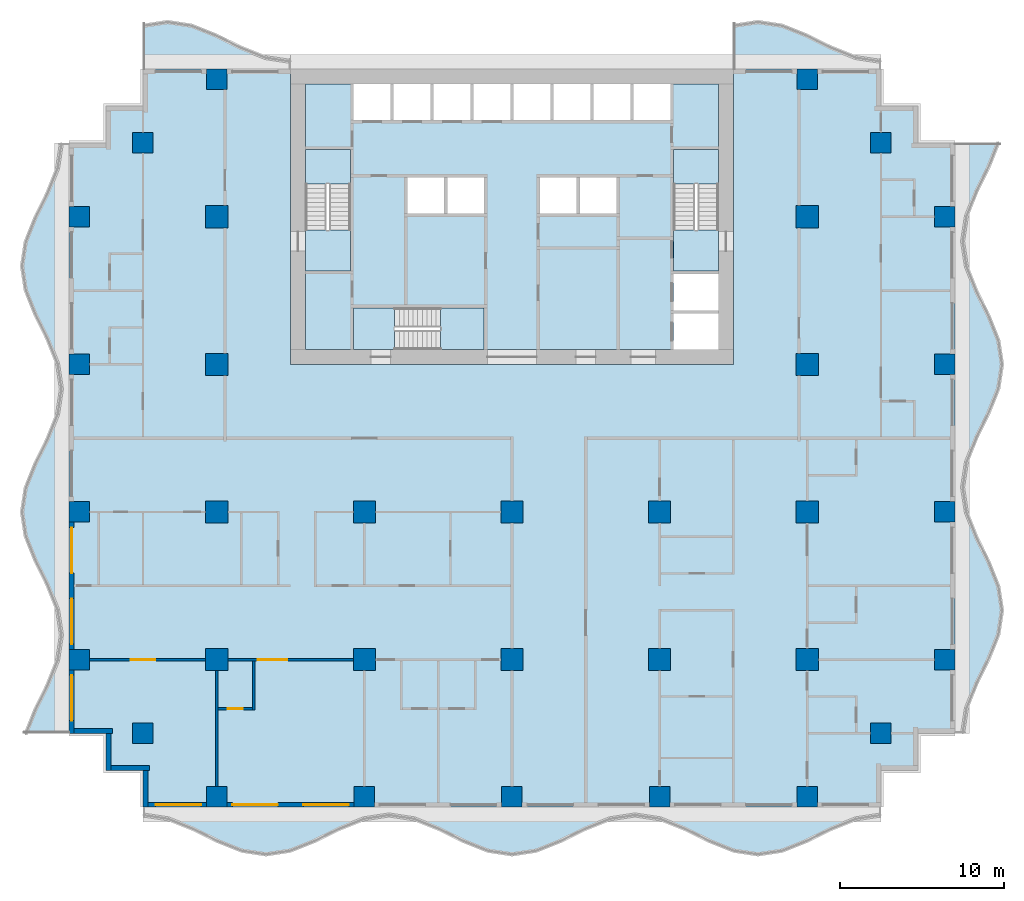
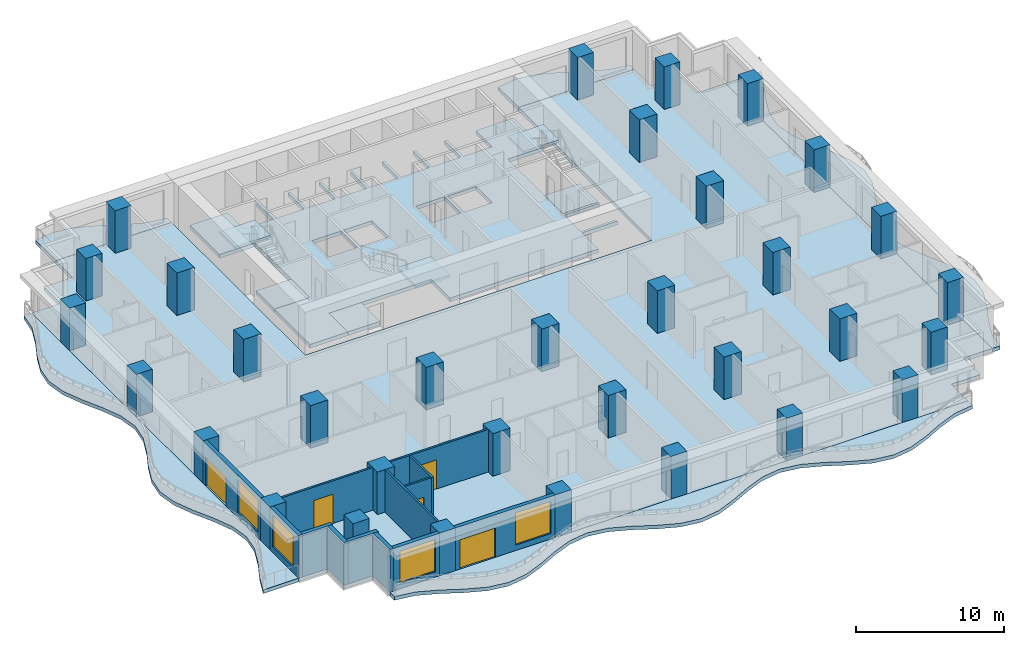
# One storey, part 1 of 13: 33 columns, 13 slabs, 13 walls, 5 doors, 4 windows, 9 openings, 3 elements without a shape of their own.
"""IFC4 building model written with IfcOpenShell, lengths in metres."""

from ifc_helpers import new_model, si_unit, direction, frame, frame_2d, origin, origin_2d, place, context, subcontext, project, spatial, polyline, rectangle, outline, extrude, material, layer, layer_set, material_profile, profile_set, type_object, element, fill, aggregate, save


model = new_model("IFC4")

# Units and contexts
model_context = context("Model", 3, precision=1e-05, world=origin(), true_north=direction((0.0, 1.0)))
body_context = subcontext(model_context, "Body", "Model", "MODEL_VIEW")
ifc_project = project(units=[si_unit("LENGTHUNIT", "METRE"), si_unit("AREAUNIT", "SQUARE_METRE"), si_unit("VOLUMEUNIT", "CUBIC_METRE"), si_unit("PLANEANGLEUNIT", "RADIAN"), si_unit("MASSUNIT", "GRAM", prefix="KILO")], contexts=[model_context])

# Site, building, storey
site_placement = place(None, origin())
site = spatial("IfcSite", under=ifc_project, at=site_placement, CompositionType="ELEMENT")
building_placement = place(site_placement, origin())
building = spatial("IfcBuilding", under=site, at=building_placement, Name="Orbiselva Terraces", CompositionType="ELEMENT")
storey_placement = place(building_placement, frame((0.0, 0.0, 99.8)))
storey = spatial("IfcBuildingStorey", under=building, at=storey_placement, Name="L25", CompositionType="ELEMENT", Elevation=99.8)

# Columns
ifc_material_1 = material(Name="Concrete C70/85", Category="concrete")
ifc_material_profile_1 = material_profile(ifc_material_1, rectangle(XDim=1.35, YDim=1.35, at=origin_2d()), Name="RC 1350x1350")
ifc_profile_set_1 = profile_set([ifc_material_profile_1], Name="Concrete C70/85")
column_type_1 = type_object("IfcColumnType", Name="COLUMN RC 1350x1350", PredefinedType="COLUMN", material=ifc_profile_set_1)
for number, where, z_axis, x_axis, name in (
    (1, (-18.0, -13.5, 0.0), (0.0, 0.0, 1.0), (1.0, 0.0, 0.0), "Column L25-01"),
    (2, (-18.0, -4.5, 0.0), (0.0, 0.0, 1.0), (1.0, 0.0, 0.0), "Column L25-03"),
    (3, (-18.0, 13.5, 0.0), (0.0, 0.0, 1.0), (1.0, 0.0, 0.0), "Column L25-04"),
    (4, (-18.0, 4.5, 0.0), (0.0, 0.0, 1.0), (1.0, 0.0, 0.0), "Column L25-06"),
    (5, (-9.0, -13.5, 0.0), (0.0, 0.0, 1.0), (1.0, 0.0, 0.0), "Column L25-13"),
    (6, (-9.0, -4.5, 0.0), (0.0, 0.0, 1.0), (1.0, 0.0, 0.0), "Column L25-15"),
    (7, (0.0, -13.5, 0.0), (0.0, 0.0, 1.0), (1.0, 0.0, 0.0), "Column L25-16"),
    (8, (0.0, -4.5, 0.0), (0.0, 0.0, 1.0), (1.0, 0.0, 0.0), "Column L25-18"),
    (9, (18.0, -13.5, 0.0), (0.0, 0.0, 1.0), (1.0, 0.0, 0.0), "Column L25-19"),
    (10, (18.0, -4.5, 0.0), (0.0, 0.0, 1.0), (1.0, 0.0, 0.0), "Column L25-21"),
    (11, (18.0, 13.5, 0.0), (0.0, 0.0, 1.0), (1.0, 0.0, 0.0), "Column L25-22"),
    (12, (18.0, 4.5, 0.0), (0.0, 0.0, 1.0), (1.0, 0.0, 0.0), "Column L25-24"),
    (13, (9.0, -13.5, 0.0), (0.0, 0.0, 1.0), (1.0, 0.0, 0.0), "Column L25-31"),
    (14, (9.0, -4.5, 0.0), (0.0, 0.0, 1.0), (1.0, 0.0, 0.0), "Column L25-33"),
):
    element("IfcColumn", number, at=place(storey_placement, frame(where, z_axis=z_axis, x_axis=x_axis)), inside=storey, type_object=column_type_1, Name=name, PredefinedType="COLUMN", context=body_context, shape_type="SweptSolid", body=[
        extrude(rectangle(XDim=1.35, YDim=1.35, at=origin_2d()), origin(), (0.0, 0.0, 1.0), 3.5),
    ])
ifc_material_2 = material(Name="Concrete C60/75", Category="concrete")
ifc_material_profile_2 = material_profile(ifc_material_2, rectangle(XDim=1.25, YDim=1.25, at=origin_2d()), Name="RC 1250x1250")
ifc_profile_set_2 = profile_set([ifc_material_profile_2], Name="Concrete C60/75")
column_type_2 = type_object("IfcColumnType", Name="PERIMETER COLUMN RC 1250x1250", PredefinedType="COLUMN", material=ifc_profile_set_2)
for number, where, z_axis, x_axis, name in (
    (15, (-18.0, -21.875, 0.0), (0.0, 0.0, 1.0), (1.0, 0.0, 0.0), "Column L25-02"),
    (16, (-18.0, 21.875, 0.0), (0.0, 0.0, 1.0), (1.0, 0.0, 0.0), "Column L25-05"),
    (17, (-26.375, -13.5, 0.0), (0.0, 0.0, 1.0), (1.0, 0.0, 0.0), "Column L25-07"),
    (18, (-22.5, -18.0, 0.0), (0.0, 0.0, 1.0), (1.0, 0.0, 0.0), "Column L25-08"),
    (19, (-26.375, -4.5, 0.0), (0.0, 0.0, 1.0), (1.0, 0.0, 0.0), "Column L25-09"),
    (20, (-26.375, 13.5, 0.0), (0.0, 0.0, 1.0), (1.0, 0.0, 0.0), "Column L25-10"),
    (21, (-22.5, 18.0, 0.0), (0.0, 0.0, 1.0), (1.0, 0.0, 0.0), "Column L25-11"),
    (22, (-26.375, 4.5, 0.0), (0.0, 0.0, 1.0), (1.0, 0.0, 0.0), "Column L25-12"),
    (23, (-9.0, -21.875, 0.0), (0.0, 0.0, 1.0), (1.0, 0.0, 0.0), "Column L25-14"),
    (24, (0.0, -21.875, 0.0), (0.0, 0.0, 1.0), (1.0, 0.0, 0.0), "Column L25-17"),
    (25, (18.0, -21.875, 0.0), (0.0, 0.0, 1.0), (1.0, 0.0, 0.0), "Column L25-20"),
    (26, (18.0, 21.875, 0.0), (0.0, 0.0, 1.0), (1.0, 0.0, 0.0), "Column L25-23"),
    (27, (26.375, -13.5, 0.0), (0.0, 0.0, 1.0), (1.0, 0.0, 0.0), "Column L25-25"),
    (28, (22.5, -18.0, 0.0), (0.0, 0.0, 1.0), (1.0, 0.0, 0.0), "Column L25-26"),
    (29, (26.375, -4.5, 0.0), (0.0, 0.0, 1.0), (1.0, 0.0, 0.0), "Column L25-27"),
    (30, (26.375, 13.5, 0.0), (0.0, 0.0, 1.0), (1.0, 0.0, 0.0), "Column L25-28"),
    (31, (22.5, 18.0, 0.0), (0.0, 0.0, 1.0), (1.0, 0.0, 0.0), "Column L25-29"),
    (32, (26.375, 4.5, 0.0), (0.0, 0.0, 1.0), (1.0, 0.0, 0.0), "Column L25-30"),
    (33, (9.0, -21.875, 0.0), (0.0, 0.0, 1.0), (1.0, 0.0, 0.0), "Column L25-32"),
):
    element("IfcColumn", number, at=place(storey_placement, frame(where, z_axis=z_axis, x_axis=x_axis)), inside=storey, type_object=column_type_2, Name=name, PredefinedType="COLUMN", context=body_context, shape_type="SweptSolid", body=[
        extrude(rectangle(XDim=1.25, YDim=1.25, at=origin_2d()), origin(), (0.0, 0.0, 1.0), 3.5),
    ])

# Slabs
ifc_material_3 = material(Name="Concrete C40/50", Category="concrete")
ifc_layer_1 = layer(ifc_material_3, 0.3)
ifc_layer_set_1 = layer_set([ifc_layer_1], Name="Concrete C40/50")
slab_type_1 = type_object("IfcSlabType", Name="CORE-SLAB-FLOOR-300", PredefinedType="FLOOR", material=ifc_layer_set_1)
slab_1_placement = place(storey_placement, frame((0.0, 0.0, -0.3)))
element("IfcSlab", 34, at=slab_1_placement, inside=storey, type_object=slab_type_1, Name="L25 S1 floor landing", PredefinedType="FLOOR", context=body_context, shape_type="SweptSolid", body=[
    extrude(outline(polyline([(-12.6, 12.7), (-9.85, 12.7), (-9.85, 10.2), (-12.6, 10.2), (-12.6, 12.7)])), origin(), (0.0, 0.0, 1.0), 0.3),
])
slab_2_placement = place(storey_placement, frame((0.0, 0.0, -0.3)))
element("IfcSlab", 35, at=slab_2_placement, inside=storey, type_object=slab_type_1, Name="L25 S2 floor landing", PredefinedType="FLOOR", context=body_context, shape_type="SweptSolid", body=[
    extrude(outline(polyline([(12.6, 12.7), (12.6, 10.2), (9.85, 10.2), (9.85, 12.7), (12.6, 12.7)])), origin(), (0.0, 0.0, 1.0), 0.3),
])
slab_3_placement = place(storey_placement, frame((0.0, 0.0, -0.3)))
element("IfcSlab", 36, at=slab_3_placement, inside=storey, type_object=slab_type_1, Name="L25 S3 floor landing", PredefinedType="FLOOR", context=body_context, shape_type="SweptSolid", body=[
    extrude(outline(polyline([(-7.15, 5.4), (-9.65, 5.4), (-9.65, 7.95), (-7.15, 7.95), (-7.15, 5.4)])), origin(), (0.0, 0.0, 1.0), 0.3),
])
slab_4_placement = place(storey_placement, frame((0.0, 0.0, -0.3)))
element("IfcSlab", 37, at=slab_4_placement, inside=storey, type_object=slab_type_1, Name="L25 core floor slab 1", PredefinedType="FLOOR", context=body_context, shape_type="SweptSolid", body=[
    extrude(outline(polyline([(-1.7, 5.4), (-1.7, 7.95), (-9.65, 7.95), (-9.65, 5.4), (-12.6, 5.4), (-12.6, 10.2), (-9.85, 10.2), (-9.85, 17.6), (-12.6, 17.6), (-12.6, 21.6), (-9.65, 21.6), (-9.65, 19.4), (-7.4125, 19.4), (-7.4125, 21.6), (-7.2125, 21.6), (-7.2125, 19.4), (-4.975, 19.4), (-4.975, 21.6), (-4.775, 21.6), (-4.775, 19.4), (-2.5375, 19.4), (-2.5375, 21.6), (-2.3375, 21.6), (-2.3375, 19.4), (-0.1, 19.4), (-0.1, 21.6), (0.1, 21.6), (0.1, 19.4), (2.3375, 19.4), (2.3375, 21.6), (2.5375, 21.6), (2.5375, 19.4), (4.775, 19.4), (4.775, 21.6), (4.975, 21.6), (4.975, 19.4), (7.2125, 19.4), (7.2125, 21.6), (7.4125, 21.6), (7.4125, 19.4), (9.65, 19.4), (9.65, 21.6), (12.6, 21.6), (12.6, 17.6), (9.85, 17.6), (9.85, 10.2), (12.6, 10.2), (12.6, 10.0), (9.85, 10.0), (9.85, 7.8), (12.6, 7.8), (12.6, 7.6), (9.85, 7.6), (9.85, 5.4), (-1.7, 5.4)]), holes=[polyline([(-4.1375, 13.7), (-4.1375, 15.9), (-6.375, 15.9), (-6.375, 13.7), (-4.1375, 13.7)]), polyline([(-1.7, 13.7), (-1.7, 15.9), (-3.9375, 15.9), (-3.9375, 13.7), (-1.7, 13.7)]), polyline([(3.9375, 13.7), (3.9375, 15.9), (1.7, 15.9), (1.7, 13.7), (3.9375, 13.7)]), polyline([(6.375, 13.7), (6.375, 15.9), (4.1375, 15.9), (4.1375, 13.7), (6.375, 13.7)])]), origin(), (0.0, 0.0, 1.0), 0.3),
])

# Stair, slab
stair_type_1 = type_object("IfcStairType", Name="CORE-STAIR-1300", PredefinedType="HALF_TURN_STAIR", material=ifc_material_3)
stair_1_placement = place(storey_placement, origin())
stair_1 = element("IfcStair", 38, at=stair_1_placement, inside=storey, type_object=stair_type_1, Name="L25 Exit Stair S1", PredefinedType="HALF_TURN_STAIR")
ifc_layer_2 = layer(ifc_material_3, 0.2)
ifc_layer_set_2 = layer_set([ifc_layer_2], Name="Concrete C40/50")
slab_type_2 = type_object("IfcSlabType", Name="CORE-STAIR-LANDING-200", PredefinedType="LANDING", material=ifc_layer_set_2)
slab_5_placement = place(storey_placement, frame((0.0, 0.0, 1.7)))
slab_5 = element("IfcSlab", 39, at=slab_5_placement, type_object=slab_type_2, Name="S1 landing 1", PredefinedType="LANDING", context=body_context, shape_type="SweptSolid", body=[
    extrude(outline(polyline([(-9.85, 15.5), (-9.85, 17.6), (-12.6, 17.6), (-12.6, 15.5), (-9.85, 15.5)])), origin(), (0.0, 0.0, 1.0), 0.2),
])
aggregate(stair_1, [slab_5])

stair_2_placement = place(storey_placement, origin())
stair_2 = element("IfcStair", 40, at=stair_2_placement, inside=storey, type_object=stair_type_1, Name="L25 Exit Stair S2", PredefinedType="HALF_TURN_STAIR")
slab_6_placement = place(storey_placement, frame((0.0, 0.0, 1.7)))
slab_6 = element("IfcSlab", 41, at=slab_6_placement, type_object=slab_type_2, Name="S2 landing 1", PredefinedType="LANDING", context=body_context, shape_type="SweptSolid", body=[
    extrude(outline(polyline([(12.6, 15.5), (12.6, 17.6), (9.85, 17.6), (9.85, 15.5), (12.6, 15.5)])), origin(), (0.0, 0.0, 1.0), 0.2),
])
aggregate(stair_2, [slab_6])

stair_type_2 = type_object("IfcStairType", Name="CORE-STAIR-1200", PredefinedType="HALF_TURN_STAIR", material=ifc_material_3)
stair_3_placement = place(storey_placement, origin())
stair_3 = element("IfcStair", 42, at=stair_3_placement, inside=storey, type_object=stair_type_2, Name="L25 Exit Stair S3", PredefinedType="HALF_TURN_STAIR")
slab_7_placement = place(storey_placement, frame((0.0, 0.0, 1.7)))
slab_7 = element("IfcSlab", 43, at=slab_7_placement, type_object=slab_type_2, Name="S3 landing 1", PredefinedType="LANDING", context=body_context, shape_type="SweptSolid", body=[
    extrude(outline(polyline([(-4.35, 5.4), (-1.7, 5.4), (-1.7, 7.95), (-4.35, 7.95), (-4.35, 5.4)])), origin(), (0.0, 0.0, 1.0), 0.2),
])
aggregate(stair_3, [slab_7])

# Slabs
ifc_material_4 = material(Name="Concrete C50/60", Category="concrete")
ifc_layer_3 = layer(ifc_material_4, 0.3)
ifc_layer_set_3 = layer_set([ifc_layer_3], Name="Concrete C50/60")
slab_type_3 = type_object("IfcSlabType", Name="ENV-BALCONY-SLAB-300", PredefinedType="FLOOR", material=ifc_layer_set_3)
slab_8_placement = place(storey_placement, frame((0.0, 0.0, -0.3)))
element("IfcSlab", 44, at=slab_8_placement, inside=storey, type_object=slab_type_3, Name="Balcony slab L25 S", PredefinedType="FLOOR", context=body_context, shape_type="SweptSolid", body=[
    extrude(outline(polyline([(-22.5, -23.1), (-21.0, -23.32918), (-19.5, -23.92918), (-18.0, -24.67082), (-16.5, -25.27082), (-15.0, -25.5), (-13.5, -25.27082), (-12.0, -24.67082), (-10.5, -23.92918), (-9.0, -23.32918), (-7.5, -23.1), (-6.0, -23.32918), (-4.5, -23.92918), (-3.0, -24.67082), (-1.5, -25.27082), (0.0, -25.5), (1.5, -25.27082), (3.0, -24.67082), (4.5, -23.92918), (6.0, -23.32918), (7.5, -23.1), (9.0, -23.32918), (10.5, -23.92918), (12.0, -24.67082), (13.5, -25.27082), (15.0, -25.5), (16.5, -25.27082), (18.0, -24.67082), (19.5, -23.92918), (21.0, -23.32918), (22.5, -23.1), (22.5, -22.5), (-22.5, -22.5), (-22.5, -23.1)])), origin(), (0.0, 0.0, 1.0), 0.3),
])
slab_9_placement = place(storey_placement, frame((0.0, 0.0, -0.3)))
element("IfcSlab", 45, at=slab_9_placement, inside=storey, type_object=slab_type_3, Name="Balcony slab L25 E", PredefinedType="FLOOR", context=body_context, shape_type="SweptSolid", body=[
    extrude(outline(polyline([(27.6, -18.0), (27.82918, -16.5), (28.42918, -15.0), (29.17082, -13.5), (29.77082, -12.0), (30.0, -10.5), (29.77082, -9.0), (29.17082, -7.5), (28.42918, -6.0), (27.82918, -4.5), (27.6, -3.0), (27.82918, -1.5), (28.42918, 0.0), (29.17082, 1.5), (29.77082, 3.0), (30.0, 4.5), (29.77082, 6.0), (29.17082, 7.5), (28.42918, 9.0), (27.82918, 10.5), (27.6, 12.0), (27.82918, 13.5), (28.42918, 15.0), (29.17082, 16.5), (29.77082, 18.0), (27.0, 18.0), (27.0, -18.0), (27.6, -18.0)])), origin(), (0.0, 0.0, 1.0), 0.3),
])
slab_10_placement = place(storey_placement, frame((0.0, 0.0, -0.3)))
element("IfcSlab", 46, at=slab_10_placement, inside=storey, type_object=slab_type_3, Name="Balcony slab L25 NE", PredefinedType="FLOOR", context=body_context, shape_type="SweptSolid", body=[
    extrude(outline(polyline([(22.5, 23.1), (21.0, 23.32918), (19.5, 23.92918), (18.0, 24.67082), (16.5, 25.27082), (15.0, 25.5), (13.5, 25.27082), (13.5, 22.5), (22.5, 22.5), (22.5, 23.1)])), origin(), (0.0, 0.0, 1.0), 0.3),
])
slab_11_placement = place(storey_placement, frame((0.0, 0.0, -0.3)))
element("IfcSlab", 47, at=slab_11_placement, inside=storey, type_object=slab_type_3, Name="Balcony slab L25 NW", PredefinedType="FLOOR", context=body_context, shape_type="SweptSolid", body=[
    extrude(outline(polyline([(-13.5, 23.1), (-15.0, 23.32918), (-16.5, 23.92918), (-18.0, 24.67082), (-19.5, 25.27082), (-21.0, 25.5), (-22.5, 25.27082), (-22.5, 22.5), (-13.5, 22.5), (-13.5, 23.1)])), origin(), (0.0, 0.0, 1.0), 0.3),
])
slab_12_placement = place(storey_placement, frame((0.0, 0.0, -0.3)))
element("IfcSlab", 48, at=slab_12_placement, inside=storey, type_object=slab_type_3, Name="Balcony slab L25 W", PredefinedType="FLOOR", context=body_context, shape_type="SweptSolid", body=[
    extrude(outline(polyline([(-27.6, 18.0), (-27.82918, 16.5), (-28.42918, 15.0), (-29.17082, 13.5), (-29.77082, 12.0), (-30.0, 10.5), (-29.77082, 9.0), (-29.17082, 7.5), (-28.42918, 6.0), (-27.82918, 4.5), (-27.6, 3.0), (-27.82918, 1.5), (-28.42918, 0.0), (-29.17082, -1.5), (-29.77082, -3.0), (-30.0, -4.5), (-29.77082, -6.0), (-29.17082, -7.5), (-28.42918, -9.0), (-27.82918, -10.5), (-27.6, -12.0), (-27.82918, -13.5), (-28.42918, -15.0), (-29.17082, -16.5), (-29.77082, -18.0), (-27.0, -18.0), (-27.0, 18.0), (-27.6, 18.0)])), origin(), (0.0, 0.0, 1.0), 0.3),
])
ifc_layer_4 = layer(ifc_material_4, 0.3)
ifc_layer_set_4 = layer_set([ifc_layer_4], Name="Concrete C50/60")
slab_type_4 = type_object("IfcSlabType", Name="FLOOR SLAB 300", PredefinedType="FLOOR", material=ifc_layer_set_4)
slab_13_placement = place(storey_placement, frame((0.0, 0.0, -0.3)))
element("IfcSlab", 49, at=slab_13_placement, inside=storey, type_object=slab_type_4, Name="Floor slab L25", PredefinedType="FLOOR", context=body_context, shape_type="SweptSolid", body=[
    extrude(outline(polyline([(22.5, 22.5), (22.5, 20.25), (24.75, 20.25), (24.75, 18.0), (27.0, 18.0), (27.0, -18.0), (24.75, -18.0), (24.75, -20.25), (22.5, -20.25), (22.5, -22.5), (-22.5, -22.5), (-22.5, -20.25), (-24.75, -20.25), (-24.75, -18.0), (-27.0, -18.0), (-27.0, 18.0), (-24.75, 18.0), (-24.75, 20.25), (-22.5, 20.25), (-22.5, 22.5), (-13.5, 22.5), (-13.5, 4.5), (13.5, 4.5), (13.5, 22.5), (22.5, 22.5)])), origin(), (0.0, 0.0, 1.0), 0.3),
])

# Wall, opening, window
ifc_material_5 = material(Name="Terracotta cladding on masonry backing", Category="masonry")
ifc_layer_5 = layer(ifc_material_5, 0.3)
ifc_layer_set_5 = layer_set([ifc_layer_5], Name="Terracotta cladding on masonry backing")
wall_type_1 = type_object("IfcWallType", Name="ENV-WALL-TERRACOTTA-300", PredefinedType="SOLIDWALL", material=ifc_layer_set_5)
wall_1_placement = place(storey_placement, frame((-18.625, -22.35, 0.0), z_axis=(0.0, 0.0, 1.0), x_axis=(-1.0, 0.0, 0.0)))
wall_1 = element("IfcWall", 50, at=wall_1_placement, inside=storey, type_object=wall_type_1, Name="Facade wall L25 S", PredefinedType="SOLIDWALL", context=body_context, shape_type="SweptSolid", body=[
    extrude(rectangle(XDim=3.575, YDim=0.3, at=frame_2d((1.7875, 0.0))), origin(), (0.0, 0.0, 1.0), 3.5),
])
opening_1_placement = place(wall_1_placement, frame((0.325, 0.0, 0.45)))
opening_1 = element("IfcOpeningElement", 51, at=opening_1_placement, cuts=wall_1, Name="Opening WN6", PredefinedType="OPENING", context=body_context, shape_type="SweptSolid", body=[
    extrude(rectangle(XDim=2.775, YDim=2.65, at=frame_2d((1.3875, 1.325))), frame((0.0, 0.16, 0.0), z_axis=(0.0, -1.0, 0.0), x_axis=(1.0, 0.0, 0.0)), (0.0, 0.0, 1.0), 0.32),
])
ifc_material_6 = material(Name="Clear low-e glazing in aluminium frame", Category="aluminium")
window_type = type_object("IfcWindowType", Name="WINDOW 2775 X 2650 S450", PartitioningType="TRIPLE_PANEL_VERTICAL", PredefinedType="WINDOW", material=ifc_material_6)
window_1_placement = place(opening_1_placement, origin())
window_1 = element("IfcWindow", 52, at=window_1_placement, inside=storey, type_object=window_type, Name="Window L25 S", OverallHeight=2.65, OverallWidth=2.775, PartitioningType="SINGLE_PANEL", PredefinedType="WINDOW", context=body_context, shape_type="SweptSolid", body=[
    extrude(rectangle(XDim=2.775, YDim=2.65, at=frame_2d((1.3875, 1.325))), frame((0.0, 0.03, 0.0), z_axis=(0.0, -1.0, 0.0), x_axis=(1.0, 0.0, 0.0)), (0.0, 0.0, 1.0), 0.06),
])
fill(opening_1, window_1)

# Wall, openings, door, window
wall_2_placement = place(storey_placement, frame((-9.625, -22.35, 0.0), z_axis=(0.0, 0.0, 1.0), x_axis=(-1.0, 0.0, 0.0)))
wall_2 = element("IfcWall", 53, at=wall_2_placement, inside=storey, type_object=wall_type_1, Name="Facade wall L25 S", PredefinedType="SOLIDWALL", context=body_context, shape_type="SweptSolid", body=[
    extrude(rectangle(XDim=7.75, YDim=0.3, at=frame_2d((3.875, 0.0))), origin(), (0.0, 0.0, 1.0), 3.5),
])
opening_2_placement = place(wall_2_placement, frame((4.65, 0.0, 0.0)))
opening_2 = element("IfcOpeningElement", 54, at=opening_2_placement, cuts=wall_2, Name="Opening Z2-C-E10", PredefinedType="OPENING", context=body_context, shape_type="SweptSolid", body=[
    extrude(rectangle(XDim=2.775, YDim=2.4, at=frame_2d((1.3875, 1.2))), frame((0.0, 0.16, 0.0), z_axis=(0.0, -1.0, 0.0), x_axis=(1.0, 0.0, 0.0)), (0.0, 0.0, 1.0), 0.32),
])
opening_3_placement = place(wall_2_placement, frame((0.325, 0.0, 0.45)))
opening_3 = element("IfcOpeningElement", 55, at=opening_3_placement, cuts=wall_2, Name="Opening WN6", PredefinedType="OPENING", context=body_context, shape_type="SweptSolid", body=[
    extrude(rectangle(XDim=2.775, YDim=2.65, at=frame_2d((1.3875, 1.325))), frame((0.0, 0.16, 0.0), z_axis=(0.0, -1.0, 0.0), x_axis=(1.0, 0.0, 0.0)), (0.0, 0.0, 1.0), 0.32),
])
door_type_1 = type_object("IfcDoorType", Name="BALCONY DOOR 2775 X 2400", OperationType="DOUBLE_DOOR_SLIDING", PredefinedType="DOOR", material=ifc_material_6)
door_1_placement = place(opening_2_placement, origin())
door_1 = element("IfcDoor", 56, at=door_1_placement, inside=storey, type_object=door_type_1, Name="Z2-C-E10", OperationType="SINGLE_SWING_LEFT", OverallHeight=2.4, OverallWidth=2.775, PredefinedType="DOOR", context=body_context, shape_type="SweptSolid", body=[
    extrude(rectangle(XDim=2.775, YDim=2.4, at=frame_2d((1.3875, 1.2))), frame((0.0, 0.025, 0.0), z_axis=(0.0, -1.0, 0.0), x_axis=(1.0, 0.0, 0.0)), (0.0, 0.0, 1.0), 0.05),
])
fill(opening_2, door_1)
window_2_placement = place(opening_3_placement, origin())
window_2 = element("IfcWindow", 57, at=window_2_placement, inside=storey, type_object=window_type, Name="Window L25 S", OverallHeight=2.65, OverallWidth=2.775, PartitioningType="SINGLE_PANEL", PredefinedType="WINDOW", context=body_context, shape_type="SweptSolid", body=[
    extrude(rectangle(XDim=2.775, YDim=2.65, at=frame_2d((1.3875, 1.325))), frame((0.0, 0.03, 0.0), z_axis=(0.0, -1.0, 0.0), x_axis=(1.0, 0.0, 0.0)), (0.0, 0.0, 1.0), 0.06),
])
fill(opening_3, window_2)

wall_3_placement = place(storey_placement, frame((-26.85, -12.875, 0.0), z_axis=(0.0, 0.0, 1.0), x_axis=(0.0, 1.0, 0.0)))
wall_3 = element("IfcWall", 58, at=wall_3_placement, inside=storey, type_object=wall_type_1, Name="Facade wall L25 W", PredefinedType="SOLIDWALL", context=body_context, shape_type="SweptSolid", body=[
    extrude(rectangle(XDim=7.75, YDim=0.3, at=frame_2d((3.875, 0.0))), origin(), (0.0, 0.0, 1.0), 3.5),
])
opening_4_placement = place(wall_3_placement, frame((4.65, 0.0, 0.0)))
opening_4 = element("IfcOpeningElement", 59, at=opening_4_placement, cuts=wall_3, Name="Opening Z2-C-E09", PredefinedType="OPENING", context=body_context, shape_type="SweptSolid", body=[
    extrude(rectangle(XDim=2.775, YDim=2.4, at=frame_2d((1.3875, 1.2))), frame((0.0, 0.16, 0.0), z_axis=(0.0, -1.0, 0.0), x_axis=(1.0, 0.0, 0.0)), (0.0, 0.0, 1.0), 0.32),
])
opening_5_placement = place(wall_3_placement, frame((0.325, 0.0, 0.45)))
opening_5 = element("IfcOpeningElement", 60, at=opening_5_placement, cuts=wall_3, Name="Opening WN6", PredefinedType="OPENING", context=body_context, shape_type="SweptSolid", body=[
    extrude(rectangle(XDim=2.775, YDim=2.65, at=frame_2d((1.3875, 1.325))), frame((0.0, 0.16, 0.0), z_axis=(0.0, -1.0, 0.0), x_axis=(1.0, 0.0, 0.0)), (0.0, 0.0, 1.0), 0.32),
])
door_2_placement = place(opening_4_placement, origin())
door_2 = element("IfcDoor", 61, at=door_2_placement, inside=storey, type_object=door_type_1, Name="Z2-C-E09", OperationType="SINGLE_SWING_LEFT", OverallHeight=2.4, OverallWidth=2.775, PredefinedType="DOOR", context=body_context, shape_type="SweptSolid", body=[
    extrude(rectangle(XDim=2.775, YDim=2.4, at=frame_2d((1.3875, 1.2))), frame((0.0, 0.025, 0.0), z_axis=(0.0, -1.0, 0.0), x_axis=(1.0, 0.0, 0.0)), (0.0, 0.0, 1.0), 0.05),
])
fill(opening_4, door_2)
window_3_placement = place(opening_5_placement, origin())
window_3 = element("IfcWindow", 62, at=window_3_placement, inside=storey, type_object=window_type, Name="Window L25 W", OverallHeight=2.65, OverallWidth=2.775, PartitioningType="SINGLE_PANEL", PredefinedType="WINDOW", context=body_context, shape_type="SweptSolid", body=[
    extrude(rectangle(XDim=2.775, YDim=2.65, at=frame_2d((1.3875, 1.325))), frame((0.0, 0.03, 0.0), z_axis=(0.0, -1.0, 0.0), x_axis=(1.0, 0.0, 0.0)), (0.0, 0.0, 1.0), 0.06),
])
fill(opening_5, window_3)

# Wall, opening, window
wall_4_placement = place(storey_placement, frame((-26.85, -18.0, 0.0), z_axis=(0.0, 0.0, 1.0), x_axis=(0.0, 1.0, 0.0)))
wall_4 = element("IfcWall", 63, at=wall_4_placement, inside=storey, type_object=wall_type_1, Name="Facade wall L25 W", PredefinedType="SOLIDWALL", context=body_context, shape_type="SweptSolid", body=[
    extrude(rectangle(XDim=3.875, YDim=0.3, at=frame_2d((1.9375, 0.0))), origin(), (0.0, 0.0, 1.0), 3.5),
])
opening_6_placement = place(wall_4_placement, frame((0.775, 0.0, 0.45)))
opening_6 = element("IfcOpeningElement", 64, at=opening_6_placement, cuts=wall_4, Name="Opening WN6", PredefinedType="OPENING", context=body_context, shape_type="SweptSolid", body=[
    extrude(rectangle(XDim=2.775, YDim=2.65, at=frame_2d((1.3875, 1.325))), frame((0.0, 0.16, 0.0), z_axis=(0.0, -1.0, 0.0), x_axis=(1.0, 0.0, 0.0)), (0.0, 0.0, 1.0), 0.32),
])
window_4_placement = place(opening_6_placement, origin())
window_4 = element("IfcWindow", 65, at=window_4_placement, inside=storey, type_object=window_type, Name="Window L25 W", OverallHeight=2.65, OverallWidth=2.775, PartitioningType="SINGLE_PANEL", PredefinedType="WINDOW", context=body_context, shape_type="SweptSolid", body=[
    extrude(rectangle(XDim=2.775, YDim=2.65, at=frame_2d((1.3875, 1.325))), frame((0.0, 0.03, 0.0), z_axis=(0.0, -1.0, 0.0), x_axis=(1.0, 0.0, 0.0)), (0.0, 0.0, 1.0), 0.06),
])
fill(opening_6, window_4)

# Walls
wall_5_placement = place(storey_placement, frame((-24.35, -17.85, 0.0), z_axis=(0.0, 0.0, 1.0), x_axis=(-1.0, 0.0, 0.0)))
element("IfcWall", 66, at=wall_5_placement, inside=storey, type_object=wall_type_1, Name="Facade wall L25 STEP", PredefinedType="SOLIDWALL", context=body_context, shape_type="SweptSolid", body=[
    extrude(rectangle(XDim=2.35, YDim=0.3, at=frame_2d((1.175, 0.0))), origin(), (0.0, 0.0, 1.0), 3.5),
])
wall_6_placement = place(storey_placement, frame((-24.6, -20.25, 0.0), z_axis=(0.0, 0.0, 1.0), x_axis=(0.0, 1.0, 0.0)))
element("IfcWall", 67, at=wall_6_placement, inside=storey, type_object=wall_type_1, Name="Facade wall L25 STEP", PredefinedType="SOLIDWALL", context=body_context, shape_type="SweptSolid", body=[
    extrude(rectangle(XDim=2.25, YDim=0.3, at=frame_2d((1.125, 0.0))), origin(), (0.0, 0.0, 1.0), 3.5),
])
wall_7_placement = place(storey_placement, frame((-22.1, -20.1, 0.0), z_axis=(0.0, 0.0, 1.0), x_axis=(-1.0, 0.0, 0.0)))
element("IfcWall", 68, at=wall_7_placement, inside=storey, type_object=wall_type_1, Name="Facade wall L25 STEP", PredefinedType="SOLIDWALL", context=body_context, shape_type="SweptSolid", body=[
    extrude(rectangle(XDim=2.35, YDim=0.3, at=frame_2d((1.175, 0.0))), origin(), (0.0, 0.0, 1.0), 3.5),
])
wall_8_placement = place(storey_placement, frame((-22.35, -22.5, 0.0), z_axis=(0.0, 0.0, 1.0), x_axis=(0.0, 1.0, 0.0)))
element("IfcWall", 69, at=wall_8_placement, inside=storey, type_object=wall_type_1, Name="Facade wall L25 STEP", PredefinedType="SOLIDWALL", context=body_context, shape_type="SweptSolid", body=[
    extrude(rectangle(XDim=2.25, YDim=0.3, at=frame_2d((1.125, 0.0))), origin(), (0.0, 0.0, 1.0), 3.5),
])

# Wall, opening, door
ifc_material_7 = material(Name="Plasterboard on steel stud partition", Category="steel")
ifc_layer_6 = layer(ifc_material_7, 0.15)
ifc_layer_set_6 = layer_set([ifc_layer_6], Name="Plasterboard on steel stud partition")
wall_type_2 = type_object("IfcWallType", Name="UNIT-PARTITION-150", PredefinedType="PARTITIONING", material=ifc_layer_set_6)
wall_9_placement = place(storey_placement, frame((-17.925, -16.5, 0.0), z_axis=(0.0, 0.0, 1.0), x_axis=(1.0, 0.0, 0.0)))
wall_9 = element("IfcWall", 70, at=wall_9_placement, inside=storey, type_object=wall_type_2, Name="PARTITION L25-004", PredefinedType="PARTITIONING", context=body_context, shape_type="SweptSolid", body=[
    extrude(rectangle(XDim=2.1, YDim=0.15, at=frame_2d((1.05, 0.0))), origin(), (0.0, 0.0, 1.0), 3.5),
])
opening_7_placement = place(wall_9_placement, frame((0.6, 0.0, 0.0)))
opening_7 = element("IfcOpeningElement", 71, at=opening_7_placement, cuts=wall_9, Name="Opening Z2-C-23", PredefinedType="OPENING", context=body_context, shape_type="SweptSolid", body=[
    extrude(rectangle(XDim=0.9, YDim=2.1, at=frame_2d((0.45, 1.05))), frame((0.0, 0.085, 0.0), z_axis=(0.0, -1.0, 0.0), x_axis=(1.0, 0.0, 0.0)), (0.0, 0.0, 1.0), 0.17),
])
ifc_material_8 = material(Name="Painted timber door leaf", Category="wood")
door_type_2 = type_object("IfcDoorType", Name="BATH DOOR 900", OperationType="NOTDEFINED", PredefinedType="DOOR", material=ifc_material_8)
door_3_placement = place(opening_7_placement, origin())
door_3 = element("IfcDoor", 72, at=door_3_placement, inside=storey, type_object=door_type_2, Name="Z2-C-23", OperationType="SINGLE_SWING_LEFT", OverallHeight=2.1, OverallWidth=0.9, PredefinedType="DOOR", context=body_context, shape_type="SweptSolid", body=[
    extrude(rectangle(XDim=0.9, YDim=2.1, at=frame_2d((0.45, 1.05))), frame((0.0, 0.025, 0.0), z_axis=(0.0, -1.0, 0.0), x_axis=(1.0, 0.0, 0.0)), (0.0, 0.0, 1.0), 0.05),
])
fill(opening_7, door_3)

wall_10_placement = place(storey_placement, frame((-18.675, -13.5, 0.0), z_axis=(0.0, 0.0, 1.0), x_axis=(-1.0, 0.0, 0.0)))
wall_10 = element("IfcWall", 73, at=wall_10_placement, inside=storey, type_object=wall_type_2, Name="PARTITION L25-009", PredefinedType="PARTITIONING", context=body_context, shape_type="SweptSolid", body=[
    extrude(rectangle(XDim=7.075, YDim=0.15, at=frame_2d((3.5375, 0.0))), origin(), (0.0, 0.0, 1.0), 3.5),
])
opening_8_placement = place(wall_10_placement, frame((3.075, 0.0, 0.0)))
opening_8 = element("IfcOpeningElement", 74, at=opening_8_placement, cuts=wall_10, Name="Opening Z2-C-21", PredefinedType="OPENING", context=body_context, shape_type="SweptSolid", body=[
    extrude(rectangle(XDim=1.5, YDim=2.4, at=frame_2d((0.75, 1.2))), frame((0.0, 0.085, 0.0), z_axis=(0.0, -1.0, 0.0), x_axis=(1.0, 0.0, 0.0)), (0.0, 0.0, 1.0), 0.17),
])
door_type_3 = type_object("IfcDoorType", Name="DOUBLE DOOR 1500", OperationType="NOTDEFINED", PredefinedType="DOOR", material=ifc_material_8)
door_4_placement = place(opening_8_placement, origin())
door_4 = element("IfcDoor", 75, at=door_4_placement, inside=storey, type_object=door_type_3, Name="Z2-C-21", OperationType="DOUBLE_DOOR_SINGLE_SWING", OverallHeight=2.4, OverallWidth=1.5, PredefinedType="DOOR", context=body_context, shape_type="SweptSolid", body=[
    extrude(rectangle(XDim=1.5, YDim=2.4, at=frame_2d((0.75, 1.2))), frame((0.0, 0.025, 0.0), z_axis=(0.0, -1.0, 0.0), x_axis=(1.0, 0.0, 0.0)), (0.0, 0.0, 1.0), 0.05),
])
fill(opening_8, door_4)

wall_11_placement = place(storey_placement, frame((-9.675, -13.5, 0.0), z_axis=(0.0, 0.0, 1.0), x_axis=(-1.0, 0.0, 0.0)))
wall_11 = element("IfcWall", 76, at=wall_11_placement, inside=storey, type_object=wall_type_2, Name="PARTITION L25-010", PredefinedType="PARTITIONING", context=body_context, shape_type="SweptSolid", body=[
    extrude(rectangle(XDim=7.65, YDim=0.15, at=frame_2d((3.825, 0.0))), origin(), (0.0, 0.0, 1.0), 3.5),
])
opening_9_placement = place(wall_11_placement, frame((4.025, 0.0, 0.0)))
opening_9 = element("IfcOpeningElement", 77, at=opening_9_placement, cuts=wall_11, Name="Opening Z2-C-22", PredefinedType="OPENING", context=body_context, shape_type="SweptSolid", body=[
    extrude(rectangle(XDim=1.8, YDim=2.4, at=frame_2d((0.9, 1.2))), frame((0.0, 0.085, 0.0), z_axis=(0.0, -1.0, 0.0), x_axis=(1.0, 0.0, 0.0)), (0.0, 0.0, 1.0), 0.17),
])
door_type_4 = type_object("IfcDoorType", Name="DOUBLE DOOR 1800", OperationType="NOTDEFINED", PredefinedType="DOOR", material=ifc_material_8)
door_5_placement = place(opening_9_placement, origin())
door_5 = element("IfcDoor", 78, at=door_5_placement, inside=storey, type_object=door_type_4, Name="Z2-C-22", OperationType="DOUBLE_DOOR_SINGLE_SWING", OverallHeight=2.4, OverallWidth=1.8, PredefinedType="DOOR", context=body_context, shape_type="SweptSolid", body=[
    extrude(rectangle(XDim=1.8, YDim=2.4, at=frame_2d((0.9, 1.2))), frame((0.0, 0.025, 0.0), z_axis=(0.0, -1.0, 0.0), x_axis=(1.0, 0.0, 0.0)), (0.0, 0.0, 1.0), 0.05),
])
fill(opening_9, door_5)

# Walls
wall_12_placement = place(storey_placement, frame((-18.0, -21.25, 0.0), z_axis=(0.0, 0.0, 1.0), x_axis=(0.0, 1.0, 0.0)))
element("IfcWall", 79, at=wall_12_placement, inside=storey, type_object=wall_type_2, Name="PARTITION L25-043", PredefinedType="PARTITIONING", context=body_context, shape_type="SweptSolid", body=[
    extrude(rectangle(XDim=7.075, YDim=0.15, at=frame_2d((3.5375, 0.0))), origin(), (0.0, 0.0, 1.0), 3.5),
])
wall_13_placement = place(storey_placement, frame((-15.75, -16.575, 0.0), z_axis=(0.0, 0.0, 1.0), x_axis=(0.0, 1.0, 0.0)))
element("IfcWall", 80, at=wall_13_placement, inside=storey, type_object=wall_type_2, Name="PARTITION L25-048", PredefinedType="PARTITIONING", context=body_context, shape_type="SweptSolid", body=[
    extrude(rectangle(XDim=3.0, YDim=0.15, at=frame_2d((1.5, 0.0))), origin(), (0.0, 0.0, 1.0), 3.5),
])

save(model, "model.ifc")
